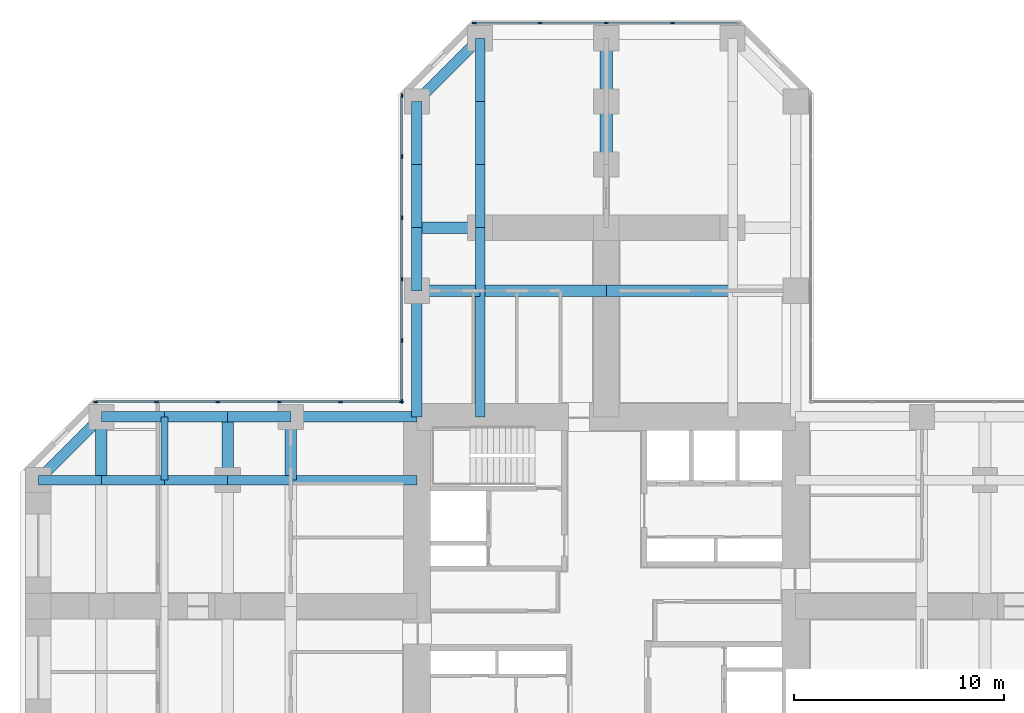
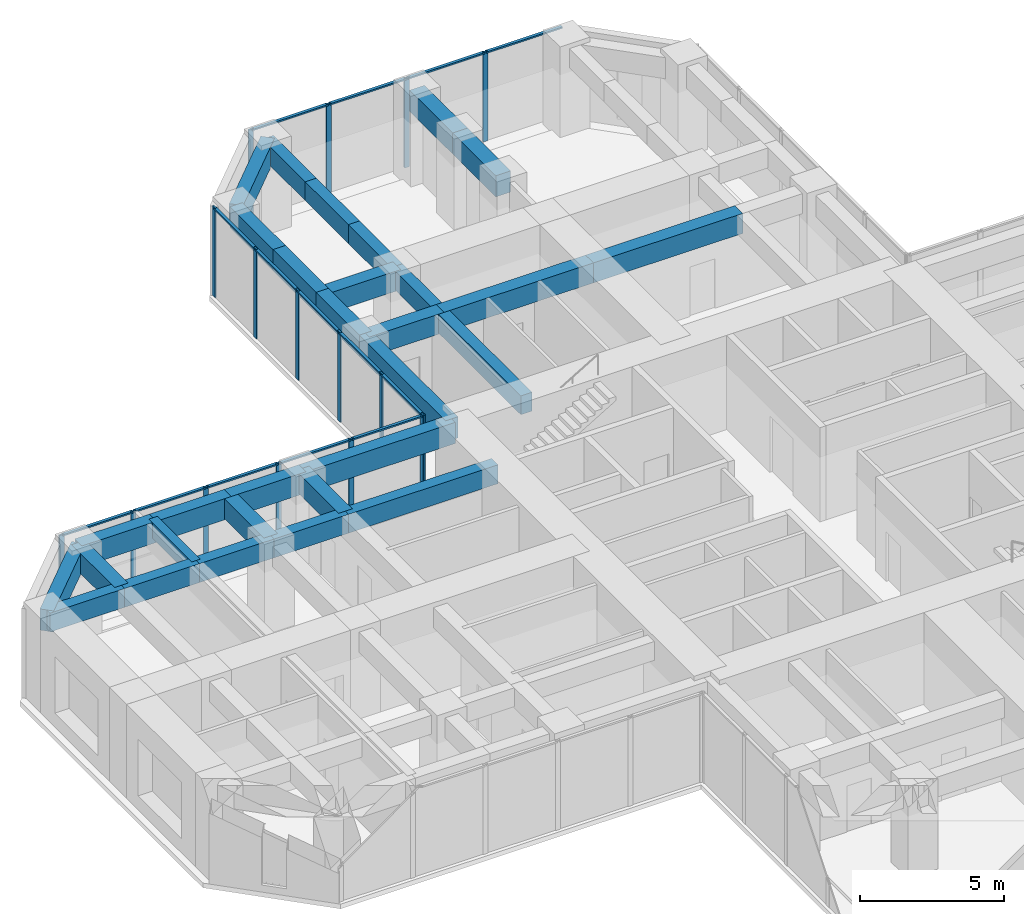
# One storey, part 5 of 13: 30 beams, 30 members, 3 elements without a shape of their own.
"""IFC4 building model written with IfcOpenShell, lengths in metres."""

from ifc_helpers import new_model, si_unit, direction, frame, origin, origin_2d, place, context, subcontext, project, spatial, rectangle, extrude, material, material_profile, profile_set, type_object, element, aggregate, save


model = new_model("IFC4")

# Units and contexts
model_context = context("Model", 3, precision=1e-05, world=origin(), true_north=direction((0.0, 1.0)))
body_context = subcontext(model_context, "Body", "Model", "MODEL_VIEW")
ifc_project = project(units=[si_unit("LENGTHUNIT", "METRE"), si_unit("AREAUNIT", "SQUARE_METRE"), si_unit("VOLUMEUNIT", "CUBIC_METRE"), si_unit("PLANEANGLEUNIT", "RADIAN"), si_unit("MASSUNIT", "GRAM", prefix="KILO")], contexts=[model_context])

# Site, building, storey
site_placement = place(None, origin())
site = spatial("IfcSite", under=ifc_project, at=site_placement, CompositionType="ELEMENT")
building_placement = place(site_placement, origin())
building = spatial("IfcBuilding", under=site, at=building_placement, Name="Torre Cruceta", CompositionType="ELEMENT")
storey_placement = place(building_placement, frame((0.0, 0.0, 51.5)))
storey = spatial("IfcBuildingStorey", under=building, at=storey_placement, Name="L12", CompositionType="ELEMENT", Elevation=51.5)

# Beams
ifc_material_1 = material(Name="Concrete G60 (fck 60 MPa)", Category="concrete")
ifc_material_profile_1 = material_profile(ifc_material_1, rectangle(XDim=0.60009765625, YDim=0.89990234375, at=origin_2d()), Name="RC 600X900")
ifc_profile_set_1 = profile_set([ifc_material_profile_1], Name="Concrete G60 (fck 60 MPa)")
beam_type_1 = type_object("IfcBeamType", Name="ARM CENTRE BEAM RC 600X900", PredefinedType="BEAM", material=ifc_profile_set_1)
for number, where, z_axis, x_axis, name in (
    (1, (0.0, 21.0, 3.35009765625), (0.0, 1.0, 0.0), (-1.0, 0.0, 0.0), "MB3 L12 N centre 1"),
    (2, (0.0, 24.0, 3.35009765625), (0.0, 1.0, 0.0), (-1.0, 0.0, 0.0), "MB3 L12 N centre 2"),
):
    element("IfcBeam", number, at=place(storey_placement, frame(where, z_axis=z_axis, x_axis=x_axis)), inside=storey, type_object=beam_type_1, Name=name, PredefinedType="BEAM", context=body_context, shape_type="SweptSolid", body=[
        extrude(rectangle(XDim=0.60009765625, YDim=0.89990234375, at=origin_2d()), origin(), (0.0, 0.0, 1.0), 3.0),
    ])
ifc_material_2 = material(Name="Concrete G60 (fck 60 MPa)", Category="concrete")
ifc_material_profile_2 = material_profile(ifc_material_2, rectangle(XDim=0.449951171875, YDim=0.800048828125, at=origin_2d()), Name="RC 450X800")
ifc_profile_set_2 = profile_set([ifc_material_profile_2], Name="Concrete G60 (fck 60 MPa)")
beam_type_2 = type_object("IfcBeamType", Name="COLUMN LINE BEAM RC 450X800", PredefinedType="BEAM", material=ifc_profile_set_2)
beam_1_placement = place(storey_placement, frame((-6.0, 9.0, 3.39990234375), z_axis=(0.0, 1.0, 0.0), x_axis=(-1.0, 0.0, 0.0)))
element("IfcBeam", 3, at=beam_1_placement, inside=storey, type_object=beam_type_2, Name="LB1 L12 N col+ 1", PredefinedType="BEAM", context=body_context, shape_type="SweptSolid", body=[
    extrude(rectangle(XDim=0.449951171875, YDim=0.800048828125, at=origin_2d()), origin(), (0.0, 0.0, 1.0), 6.0),
])
for number, where, z_axis, x_axis, name in (
    (4, (-6.0, 15.0, 3.39990234375), (0.0, 1.0, 0.0), (-1.0, 0.0, 0.0), "LB1 L12 N col+ 2"),
    (5, (-6.0, 18.0, 3.39990234375), (0.0, 1.0, 0.0), (-1.0, 0.0, 0.0), "LB1 L12 N col+ 3"),
    (6, (-6.0, 21.0, 3.39990234375), (0.0, 1.0, 0.0), (-1.0, 0.0, 0.0), "LB1 L12 N col+ 4"),
    (7, (-6.0, 24.0, 3.39990234375), (0.0, 1.0, 0.0), (-1.0, 0.0, 0.0), "LB1 L12 N col+ 5"),
):
    element("IfcBeam", number, at=place(storey_placement, frame(where, z_axis=z_axis, x_axis=x_axis)), inside=storey, type_object=beam_type_2, Name=name, PredefinedType="BEAM", context=body_context, shape_type="SweptSolid", body=[
        extrude(rectangle(XDim=0.449951171875, YDim=0.800048828125, at=origin_2d()), origin(), (0.0, 0.0, 1.0), 3.0),
    ])
beam_2_placement = place(storey_placement, frame((-9.0, 6.0, 3.39990234375), z_axis=(-1.0, 0.0, 0.0), x_axis=(0.0, -1.0, 0.0)))
element("IfcBeam", 8, at=beam_2_placement, inside=storey, type_object=beam_type_2, Name="LB1 L12 W col- 1", PredefinedType="BEAM", context=body_context, shape_type="SweptSolid", body=[
    extrude(rectangle(XDim=0.449951171875, YDim=0.800048828125, at=origin_2d()), origin(), (0.0, 0.0, 1.0), 6.0),
])
for number, where, z_axis, x_axis, name in (
    (9, (-15.0, 6.0, 3.39990234375), (-1.0, 0.0, 0.0), (0.0, -1.0, 0.0), "LB1 L12 W col- 2"),
    (10, (-18.0, 6.0, 3.39990234375), (-1.0, 0.0, 0.0), (0.0, -1.0, 0.0), "LB1 L12 W col- 3"),
    (11, (-21.0, 6.0, 3.39990234375), (-1.0, 0.0, 0.0), (0.0, -1.0, 0.0), "LB1 L12 W col- 4"),
    (12, (-24.0, 6.0, 3.39990234375), (-1.0, 0.0, 0.0), (0.0, -1.0, 0.0), "LB1 L12 W col- 5"),
):
    element("IfcBeam", number, at=place(storey_placement, frame(where, z_axis=z_axis, x_axis=x_axis)), inside=storey, type_object=beam_type_2, Name=name, PredefinedType="BEAM", context=body_context, shape_type="SweptSolid", body=[
        extrude(rectangle(XDim=0.449951171875, YDim=0.800048828125, at=origin_2d()), origin(), (0.0, 0.0, 1.0), 3.0),
    ])
ifc_material_3 = material(Name="Concrete G60 (fck 60 MPa)", Category="concrete")
ifc_material_profile_3 = material_profile(ifc_material_3, rectangle(XDim=0.550048828125, YDim=0.85009765625, at=origin_2d()), Name="RC 550X850")
ifc_profile_set_3 = profile_set([ifc_material_profile_3], Name="Concrete G60 (fck 60 MPa)")
beam_type_3 = type_object("IfcBeamType", Name="CROSS BEAM RC 550X850", PredefinedType="BEAM", material=ifc_profile_set_3)
for number, where, z_axis, x_axis, name in (
    (13, (6.0, 15.0, 3.375), (-1.0, 0.0, 0.0), (0.0, -1.0, 0.0), "GB4 L12 N cross15 2"),
    (14, (0.0, 15.0, 3.375), (-1.0, 0.0, 0.0), (0.0, -1.0, 0.0), "GB4 L12 N cross15 3"),
):
    element("IfcBeam", number, at=place(storey_placement, frame(where, z_axis=z_axis, x_axis=x_axis)), inside=storey, type_object=beam_type_3, Name=name, PredefinedType="BEAM", context=body_context, shape_type="SweptSolid", body=[
        extrude(rectangle(XDim=0.550048828125, YDim=0.85009765625, at=origin_2d()), origin(), (0.0, 0.0, 1.0), 6.0),
    ])
for number, where, z_axis, x_axis, name in (
    (15, (-6.0, 15.0, 3.375), (-1.0, 0.0, 0.0), (0.0, -1.0, 0.0), "GB4 L12 N cross15 4"),
    (16, (-6.0, 18.0, 3.375), (-1.0, 0.0, 0.0), (0.0, -1.0, 0.0), "GB4 L12 N cross18b 1"),
    (17, (-15.0, 9.0, 3.375), (0.0, -1.0, 0.0), (1.0, 0.0, 0.0), "GB4 L12 W cross15 1"),
    (18, (-18.0, 9.0, 3.375), (0.0, -1.0, 0.0), (1.0, 0.0, 0.0), "GB4 L12 W cross18 1"),
    (19, (-24.0, 9.0, 3.375), (0.0, -1.0, 0.0), (1.0, 0.0, 0.0), "GB4 L12 W cross24 1"),
):
    element("IfcBeam", number, at=place(storey_placement, frame(where, z_axis=z_axis, x_axis=x_axis)), inside=storey, type_object=beam_type_3, Name=name, PredefinedType="BEAM", context=body_context, shape_type="SweptSolid", body=[
        extrude(rectangle(XDim=0.550048828125, YDim=0.85009765625, at=origin_2d()), origin(), (0.0, 0.0, 1.0), 3.0),
    ])

# Curtain wall, members
ifc_material_4 = material(Name="Aluminium unitised curtain wall", Category="aluminium")
curtain_wall_type = type_object("IfcCurtainWallType", Name="CURTAIN WALL CW-A OFFICE LOW RISE", PredefinedType="USERDEFINED", material=ifc_material_4)
curtain_wall_1_placement = place(storey_placement, origin())
curtain_wall_1 = element("IfcCurtainWall", 20, at=curtain_wall_1_placement, inside=storey, type_object=curtain_wall_type, Name="CW-A L12 N tip 07", ObjectType="UNITISED", PredefinedType="USERDEFINED")
ifc_material_5 = material(Name="Aluminium mullion", Category="aluminium")
ifc_material_profile_4 = material_profile(ifc_material_5, rectangle(XDim=0.06494140625, YDim=0.199951171875, at=origin_2d()), Name="AL 65X200")
ifc_profile_set_4 = profile_set([ifc_material_profile_4], Name="Aluminium mullion")
member_type_1 = type_object("IfcMemberType", Name="CW-A MULLION 65X200", PredefinedType="MULLION", material=ifc_profile_set_4)
member_1_placement = place(storey_placement, frame((3.149169921875, 27.719970703125, 0.0), z_axis=(0.0, 0.0, 1.0), x_axis=(0.0, -1.0, 0.0)))
member_1 = element("IfcMember", 21, at=member_1_placement, type_object=member_type_1, Name="CW-A mullion 2", PredefinedType="MULLION", context=body_context, shape_type="SweptSolid", body=[
    extrude(rectangle(XDim=0.06494140625, YDim=0.199951171875, at=origin_2d()), origin(), (0.0, 0.0, 1.0), 3.800048828125),
])
member_2_placement = place(storey_placement, frame((0.0, 27.719970703125, 0.0), z_axis=(0.0, 0.0, 1.0), x_axis=(0.0, -1.0, 0.0)))
member_2 = element("IfcMember", 22, at=member_2_placement, type_object=member_type_1, Name="CW-A mullion 3", PredefinedType="MULLION", context=body_context, shape_type="SweptSolid", body=[
    extrude(rectangle(XDim=0.06494140625, YDim=0.199951171875, at=origin_2d()), origin(), (0.0, 0.0, 1.0), 3.800048828125),
])
member_3_placement = place(storey_placement, frame((-3.149169921875, 27.719970703125, 0.0), z_axis=(0.0, 0.0, 1.0), x_axis=(0.0, -1.0, 0.0)))
member_3 = element("IfcMember", 23, at=member_3_placement, type_object=member_type_1, Name="CW-A mullion 4", PredefinedType="MULLION", context=body_context, shape_type="SweptSolid", body=[
    extrude(rectangle(XDim=0.06494140625, YDim=0.199951171875, at=origin_2d()), origin(), (0.0, 0.0, 1.0), 3.800048828125),
])
member_4_placement = place(storey_placement, frame((-6.265625, 27.719970703125, 0.0), z_axis=(0.0, 0.0, 1.0), x_axis=(0.0, -1.0, 0.0)))
member_4 = element("IfcMember", 24, at=member_4_placement, type_object=member_type_1, Name="CW-A mullion 5", PredefinedType="MULLION", context=body_context, shape_type="SweptSolid", body=[
    extrude(rectangle(XDim=0.06494140625, YDim=0.199951171875, at=origin_2d()), origin(), (0.0, 0.0, 1.0), 3.800048828125),
])

curtain_wall_2_placement = place(storey_placement, origin())
curtain_wall_2 = element("IfcCurtainWall", 25, at=curtain_wall_2_placement, inside=storey, type_object=curtain_wall_type, Name="CW-A L12 N side 09", ObjectType="UNITISED", PredefinedType="USERDEFINED")
member_5_placement = place(storey_placement, frame((-9.719970703125, 24.265625, 0.0), z_axis=(0.0, 0.0, 1.0), x_axis=(1.0, 0.0, 0.0)))
member_5 = element("IfcMember", 26, at=member_5_placement, type_object=member_type_1, Name="CW-A mullion 1", PredefinedType="MULLION", context=body_context, shape_type="SweptSolid", body=[
    extrude(rectangle(XDim=0.06494140625, YDim=0.199951171875, at=origin_2d()), origin(), (0.0, 0.0, 1.0), 3.800048828125),
])
member_6_placement = place(storey_placement, frame((-9.719970703125, 21.382568359375, 0.0), z_axis=(0.0, 0.0, 1.0), x_axis=(1.0, 0.0, 0.0)))
member_6 = element("IfcMember", 27, at=member_6_placement, type_object=member_type_1, Name="CW-A mullion 2", PredefinedType="MULLION", context=body_context, shape_type="SweptSolid", body=[
    extrude(rectangle(XDim=0.06494140625, YDim=0.199951171875, at=origin_2d()), origin(), (0.0, 0.0, 1.0), 3.800048828125),
])
member_7_placement = place(storey_placement, frame((-9.719970703125, 18.467041015625, 0.0), z_axis=(0.0, 0.0, 1.0), x_axis=(1.0, 0.0, 0.0)))
member_7 = element("IfcMember", 28, at=member_7_placement, type_object=member_type_1, Name="CW-A mullion 3", PredefinedType="MULLION", context=body_context, shape_type="SweptSolid", body=[
    extrude(rectangle(XDim=0.06494140625, YDim=0.199951171875, at=origin_2d()), origin(), (0.0, 0.0, 1.0), 3.800048828125),
])
member_8_placement = place(storey_placement, frame((-9.719970703125, 15.55126953125, 0.0), z_axis=(0.0, 0.0, 1.0), x_axis=(1.0, 0.0, 0.0)))
member_8 = element("IfcMember", 29, at=member_8_placement, type_object=member_type_1, Name="CW-A mullion 4", PredefinedType="MULLION", context=body_context, shape_type="SweptSolid", body=[
    extrude(rectangle(XDim=0.06494140625, YDim=0.199951171875, at=origin_2d()), origin(), (0.0, 0.0, 1.0), 3.800048828125),
])
member_9_placement = place(storey_placement, frame((-9.719970703125, 12.6357421875, 0.0), z_axis=(0.0, 0.0, 1.0), x_axis=(1.0, 0.0, 0.0)))
member_9 = element("IfcMember", 30, at=member_9_placement, type_object=member_type_1, Name="CW-A mullion 5", PredefinedType="MULLION", context=body_context, shape_type="SweptSolid", body=[
    extrude(rectangle(XDim=0.06494140625, YDim=0.199951171875, at=origin_2d()), origin(), (0.0, 0.0, 1.0), 3.800048828125),
])
member_10_placement = place(storey_placement, frame((-9.719970703125, 9.75244140625, 0.0), z_axis=(0.0, 0.0, 1.0), x_axis=(1.0, 0.0, 0.0)))
member_10 = element("IfcMember", 31, at=member_10_placement, type_object=member_type_1, Name="CW-A mullion 6", PredefinedType="MULLION", context=body_context, shape_type="SweptSolid", body=[
    extrude(rectangle(XDim=0.06494140625, YDim=0.199951171875, at=origin_2d()), origin(), (0.0, 0.0, 1.0), 3.800048828125),
])

curtain_wall_3_placement = place(storey_placement, origin())
curtain_wall_3 = element("IfcCurtainWall", 32, at=curtain_wall_3_placement, inside=storey, type_object=curtain_wall_type, Name="CW-A L12 W side 10", ObjectType="UNITISED", PredefinedType="USERDEFINED")
member_11_placement = place(storey_placement, frame((-9.75244140625, 9.719970703125, 0.0), z_axis=(0.0, 0.0, 1.0), x_axis=(0.0, -1.0, 0.0)))
member_11 = element("IfcMember", 33, at=member_11_placement, type_object=member_type_1, Name="CW-A mullion 1", PredefinedType="MULLION", context=body_context, shape_type="SweptSolid", body=[
    extrude(rectangle(XDim=0.06494140625, YDim=0.199951171875, at=origin_2d()), origin(), (0.0, 0.0, 1.0), 3.800048828125),
])
member_12_placement = place(storey_placement, frame((-12.6357421875, 9.719970703125, 0.0), z_axis=(0.0, 0.0, 1.0), x_axis=(0.0, -1.0, 0.0)))
member_12 = element("IfcMember", 34, at=member_12_placement, type_object=member_type_1, Name="CW-A mullion 2", PredefinedType="MULLION", context=body_context, shape_type="SweptSolid", body=[
    extrude(rectangle(XDim=0.06494140625, YDim=0.199951171875, at=origin_2d()), origin(), (0.0, 0.0, 1.0), 3.800048828125),
])
member_13_placement = place(storey_placement, frame((-15.55126953125, 9.719970703125, 0.0), z_axis=(0.0, 0.0, 1.0), x_axis=(0.0, -1.0, 0.0)))
member_13 = element("IfcMember", 35, at=member_13_placement, type_object=member_type_1, Name="CW-A mullion 3", PredefinedType="MULLION", context=body_context, shape_type="SweptSolid", body=[
    extrude(rectangle(XDim=0.06494140625, YDim=0.199951171875, at=origin_2d()), origin(), (0.0, 0.0, 1.0), 3.800048828125),
])
member_14_placement = place(storey_placement, frame((-18.467041015625, 9.719970703125, 0.0), z_axis=(0.0, 0.0, 1.0), x_axis=(0.0, -1.0, 0.0)))
member_14 = element("IfcMember", 36, at=member_14_placement, type_object=member_type_1, Name="CW-A mullion 4", PredefinedType="MULLION", context=body_context, shape_type="SweptSolid", body=[
    extrude(rectangle(XDim=0.06494140625, YDim=0.199951171875, at=origin_2d()), origin(), (0.0, 0.0, 1.0), 3.800048828125),
])
member_15_placement = place(storey_placement, frame((-21.382568359375, 9.719970703125, 0.0), z_axis=(0.0, 0.0, 1.0), x_axis=(0.0, -1.0, 0.0)))
member_15 = element("IfcMember", 37, at=member_15_placement, type_object=member_type_1, Name="CW-A mullion 5", PredefinedType="MULLION", context=body_context, shape_type="SweptSolid", body=[
    extrude(rectangle(XDim=0.06494140625, YDim=0.199951171875, at=origin_2d()), origin(), (0.0, 0.0, 1.0), 3.800048828125),
])
member_16_placement = place(storey_placement, frame((-24.265625, 9.719970703125, 0.0), z_axis=(0.0, 0.0, 1.0), x_axis=(0.0, -1.0, 0.0)))
member_16 = element("IfcMember", 38, at=member_16_placement, type_object=member_type_1, Name="CW-A mullion 6", PredefinedType="MULLION", context=body_context, shape_type="SweptSolid", body=[
    extrude(rectangle(XDim=0.06494140625, YDim=0.199951171875, at=origin_2d()), origin(), (0.0, 0.0, 1.0), 3.800048828125),
])

# Member
ifc_material_6 = material(Name="Aluminium transom", Category="aluminium")
ifc_material_profile_5 = material_profile(ifc_material_6, rectangle(XDim=0.1201171875, YDim=0.06494140625, at=origin_2d()), Name="AL 120X65")
ifc_profile_set_5 = profile_set([ifc_material_profile_5], Name="Aluminium transom")
member_type_2 = type_object("IfcMemberType", Name="CW-A TRANSOM 65X120", PredefinedType="USERDEFINED", material=ifc_profile_set_5)
member_17_placement = place(storey_placement, frame((6.233154296875, 27.719970703125, 3.767578125), z_axis=(-1.0, 0.0, 0.0), x_axis=(0.0, -1.0, 0.0)))
member_17 = element("IfcMember", 39, at=member_17_placement, type_object=member_type_2, Name="CW-A transom 1", ObjectType="TRANSOM", PredefinedType="USERDEFINED", context=body_context, shape_type="SweptSolid", body=[
    extrude(rectangle(XDim=0.1201171875, YDim=0.06494140625, at=origin_2d()), origin(), (0.0, 0.0, 1.0), 3.051513671875),
])

member_18_placement = place(storey_placement, frame((3.11669921875, 27.719970703125, 3.767578125), z_axis=(-1.0, 0.0, 0.0), x_axis=(0.0, -1.0, 0.0)))
member_18 = element("IfcMember", 40, at=member_18_placement, type_object=member_type_2, Name="CW-A transom 2", ObjectType="TRANSOM", PredefinedType="USERDEFINED", context=body_context, shape_type="SweptSolid", body=[
    extrude(rectangle(XDim=0.1201171875, YDim=0.06494140625, at=origin_2d()), origin(), (0.0, 0.0, 1.0), 3.084228515625),
])

member_19_placement = place(storey_placement, frame((-0.032470703125, 27.719970703125, 3.767578125), z_axis=(-1.0, 0.0, 0.0), x_axis=(0.0, -1.0, 0.0)))
member_19 = element("IfcMember", 41, at=member_19_placement, type_object=member_type_2, Name="CW-A transom 3", ObjectType="TRANSOM", PredefinedType="USERDEFINED", context=body_context, shape_type="SweptSolid", body=[
    extrude(rectangle(XDim=0.1201171875, YDim=0.06494140625, at=origin_2d()), origin(), (0.0, 0.0, 1.0), 3.084228515625),
])

member_20_placement = place(storey_placement, frame((-3.181640625, 27.719970703125, 3.767578125), z_axis=(-1.0, 0.0, 0.0), x_axis=(0.0, -1.0, 0.0)))
member_20 = element("IfcMember", 42, at=member_20_placement, type_object=member_type_2, Name="CW-A transom 4", ObjectType="TRANSOM", PredefinedType="USERDEFINED", context=body_context, shape_type="SweptSolid", body=[
    extrude(rectangle(XDim=0.1201171875, YDim=0.06494140625, at=origin_2d()), origin(), (0.0, 0.0, 1.0), 3.051513671875),
])

aggregate(curtain_wall_1, [member_1, member_2, member_3, member_4, member_17, member_18, member_19, member_20])

member_21_placement = place(storey_placement, frame((-9.719970703125, 24.233154296875, 3.767578125), z_axis=(0.0, -1.0, 0.0), x_axis=(1.0, 0.0, 0.0)))
member_21 = element("IfcMember", 43, at=member_21_placement, type_object=member_type_2, Name="CW-A transom 1", ObjectType="TRANSOM", PredefinedType="USERDEFINED", context=body_context, shape_type="SweptSolid", body=[
    extrude(rectangle(XDim=0.1201171875, YDim=0.06494140625, at=origin_2d()), origin(), (0.0, 0.0, 1.0), 2.818115234375),
])

member_22_placement = place(storey_placement, frame((-9.719970703125, 21.35009765625, 3.767578125), z_axis=(0.0, -1.0, 0.0), x_axis=(1.0, 0.0, 0.0)))
member_22 = element("IfcMember", 44, at=member_22_placement, type_object=member_type_2, Name="CW-A transom 2", ObjectType="TRANSOM", PredefinedType="USERDEFINED", context=body_context, shape_type="SweptSolid", body=[
    extrude(rectangle(XDim=0.1201171875, YDim=0.06494140625, at=origin_2d()), origin(), (0.0, 0.0, 1.0), 2.8505859375),
])

member_23_placement = place(storey_placement, frame((-9.719970703125, 18.434326171875, 3.767578125), z_axis=(0.0, -1.0, 0.0), x_axis=(1.0, 0.0, 0.0)))
member_23 = element("IfcMember", 45, at=member_23_placement, type_object=member_type_2, Name="CW-A transom 3", ObjectType="TRANSOM", PredefinedType="USERDEFINED", context=body_context, shape_type="SweptSolid", body=[
    extrude(rectangle(XDim=0.1201171875, YDim=0.06494140625, at=origin_2d()), origin(), (0.0, 0.0, 1.0), 2.8505859375),
])

member_24_placement = place(storey_placement, frame((-9.719970703125, 15.518798828125, 3.767578125), z_axis=(0.0, -1.0, 0.0), x_axis=(1.0, 0.0, 0.0)))
member_24 = element("IfcMember", 46, at=member_24_placement, type_object=member_type_2, Name="CW-A transom 4", ObjectType="TRANSOM", PredefinedType="USERDEFINED", context=body_context, shape_type="SweptSolid", body=[
    extrude(rectangle(XDim=0.1201171875, YDim=0.06494140625, at=origin_2d()), origin(), (0.0, 0.0, 1.0), 2.8505859375),
])

member_25_placement = place(storey_placement, frame((-9.719970703125, 12.60302734375, 3.767578125), z_axis=(0.0, -1.0, 0.0), x_axis=(1.0, 0.0, 0.0)))
member_25 = element("IfcMember", 47, at=member_25_placement, type_object=member_type_2, Name="CW-A transom 5", ObjectType="TRANSOM", PredefinedType="USERDEFINED", context=body_context, shape_type="SweptSolid", body=[
    extrude(rectangle(XDim=0.1201171875, YDim=0.06494140625, at=origin_2d()), origin(), (0.0, 0.0, 1.0), 2.818115234375),
])

aggregate(curtain_wall_2, [member_5, member_6, member_7, member_8, member_9, member_10, member_21, member_22, member_23, member_24, member_25])

member_26_placement = place(storey_placement, frame((-9.784912109375, 9.719970703125, 3.767578125), z_axis=(-1.0, 0.0, 0.0), x_axis=(0.0, -1.0, 0.0)))
member_26 = element("IfcMember", 48, at=member_26_placement, type_object=member_type_2, Name="CW-A transom 1", ObjectType="TRANSOM", PredefinedType="USERDEFINED", context=body_context, shape_type="SweptSolid", body=[
    extrude(rectangle(XDim=0.1201171875, YDim=0.06494140625, at=origin_2d()), origin(), (0.0, 0.0, 1.0), 2.818115234375),
])

member_27_placement = place(storey_placement, frame((-12.668212890625, 9.719970703125, 3.767578125), z_axis=(-1.0, 0.0, 0.0), x_axis=(0.0, -1.0, 0.0)))
member_27 = element("IfcMember", 49, at=member_27_placement, type_object=member_type_2, Name="CW-A transom 2", ObjectType="TRANSOM", PredefinedType="USERDEFINED", context=body_context, shape_type="SweptSolid", body=[
    extrude(rectangle(XDim=0.1201171875, YDim=0.06494140625, at=origin_2d()), origin(), (0.0, 0.0, 1.0), 2.8505859375),
])

member_28_placement = place(storey_placement, frame((-15.583740234375, 9.719970703125, 3.767578125), z_axis=(-1.0, 0.0, 0.0), x_axis=(0.0, -1.0, 0.0)))
member_28 = element("IfcMember", 50, at=member_28_placement, type_object=member_type_2, Name="CW-A transom 3", ObjectType="TRANSOM", PredefinedType="USERDEFINED", context=body_context, shape_type="SweptSolid", body=[
    extrude(rectangle(XDim=0.1201171875, YDim=0.06494140625, at=origin_2d()), origin(), (0.0, 0.0, 1.0), 2.8505859375),
])

member_29_placement = place(storey_placement, frame((-18.49951171875, 9.719970703125, 3.767578125), z_axis=(-1.0, 0.0, 0.0), x_axis=(0.0, -1.0, 0.0)))
member_29 = element("IfcMember", 51, at=member_29_placement, type_object=member_type_2, Name="CW-A transom 4", ObjectType="TRANSOM", PredefinedType="USERDEFINED", context=body_context, shape_type="SweptSolid", body=[
    extrude(rectangle(XDim=0.1201171875, YDim=0.06494140625, at=origin_2d()), origin(), (0.0, 0.0, 1.0), 2.8505859375),
])

member_30_placement = place(storey_placement, frame((-21.4150390625, 9.719970703125, 3.767578125), z_axis=(-1.0, 0.0, 0.0), x_axis=(0.0, -1.0, 0.0)))
member_30 = element("IfcMember", 52, at=member_30_placement, type_object=member_type_2, Name="CW-A transom 5", ObjectType="TRANSOM", PredefinedType="USERDEFINED", context=body_context, shape_type="SweptSolid", body=[
    extrude(rectangle(XDim=0.1201171875, YDim=0.06494140625, at=origin_2d()), origin(), (0.0, 0.0, 1.0), 2.818115234375),
])

aggregate(curtain_wall_3, [member_11, member_12, member_13, member_14, member_15, member_16, member_26, member_27, member_28, member_29, member_30])

# Beams
ifc_material_7 = material(Name="Concrete G60 (fck 60 MPa)", Category="concrete")
ifc_material_profile_6 = material_profile(ifc_material_7, rectangle(XDim=0.35009765625, YDim=0.64990234375, at=origin_2d()), Name="RC 350X650")
ifc_profile_set_6 = profile_set([ifc_material_profile_6], Name="Concrete G60 (fck 60 MPa)")
beam_type_4 = type_object("IfcBeamType", Name="SECONDARY BEAM RC 350X650", PredefinedType="JOIST", material=ifc_profile_set_6)
beam_3_placement = place(storey_placement, frame((-21.0, 9.0, 3.47509765625), z_axis=(0.0, -1.0, 0.0), x_axis=(1.0, 0.0, 0.0)))
element("IfcBeam", 53, at=beam_3_placement, inside=storey, type_object=beam_type_4, Name="JB3 L12 W sec21 1", PredefinedType="JOIST", context=body_context, shape_type="SweptSolid", body=[
    extrude(rectangle(XDim=0.35009765625, YDim=0.64990234375, at=origin_2d()), origin(), (0.0, 0.0, 1.0), 3.0),
])
ifc_material_8 = material(Name="Concrete G60 (fck 60 MPa)", Category="concrete")
ifc_material_profile_7 = material_profile(ifc_material_8, rectangle(XDim=0.5, YDim=0.89990234375, at=origin_2d()), Name="RC 500X900")
ifc_profile_set_7 = profile_set([ifc_material_profile_7], Name="Concrete G60 (fck 60 MPa)")
beam_type_5 = type_object("IfcBeamType", Name="SPANDREL BEAM RC 500X900", PredefinedType="SPANDREL", material=ifc_profile_set_7)
beam_4_placement = place(storey_placement, frame((-9.0, 9.0, 3.35009765625), z_axis=(0.0, 1.0, 0.0), x_axis=(-1.0, 0.0, 0.0)))
element("IfcBeam", 54, at=beam_4_placement, inside=storey, type_object=beam_type_5, Name="SB4 L12 N side+ 1", PredefinedType="SPANDREL", context=body_context, shape_type="SweptSolid", body=[
    extrude(rectangle(XDim=0.5, YDim=0.89990234375, at=origin_2d()), origin(), (0.0, 0.0, 1.0), 6.0),
])
for number, where, z_axis, x_axis, name in (
    (55, (-9.0, 15.0, 3.35009765625), (0.0, 1.0, 0.0), (-1.0, 0.0, 0.0), "SB4 L12 N side+ 2"),
    (56, (-9.0, 18.0, 3.35009765625), (0.0, 1.0, 0.0), (-1.0, 0.0, 0.0), "SB4 L12 N side+ 3"),
    (57, (-9.0, 21.0, 3.35009765625), (0.0, 1.0, 0.0), (-1.0, 0.0, 0.0), "SB4 L12 N side+ 4"),
):
    element("IfcBeam", number, at=place(storey_placement, frame(where, z_axis=z_axis, x_axis=x_axis)), inside=storey, type_object=beam_type_5, Name=name, PredefinedType="SPANDREL", context=body_context, shape_type="SweptSolid", body=[
        extrude(rectangle(XDim=0.5, YDim=0.89990234375, at=origin_2d()), origin(), (0.0, 0.0, 1.0), 3.0),
    ])
beam_5_placement = place(storey_placement, frame((-9.0, 24.0, 3.35009765625), z_axis=(0.707106781187, 0.707106781187, 0.0), x_axis=(-0.707106781187, 0.707106781187, 0.0)))
element("IfcBeam", 58, at=beam_5_placement, inside=storey, type_object=beam_type_5, Name="SB4 L12 N side+ 5", PredefinedType="SPANDREL", context=body_context, shape_type="SweptSolid", body=[
    extrude(rectangle(XDim=0.5, YDim=0.89990234375, at=origin_2d()), origin(), (0.0, 0.0, 1.0), 4.24267578125),
])
beam_6_placement = place(storey_placement, frame((-9.0, 9.0, 3.35009765625), z_axis=(-1.0, 0.0, 0.0), x_axis=(0.0, -1.0, 0.0)))
element("IfcBeam", 59, at=beam_6_placement, inside=storey, type_object=beam_type_5, Name="SB4 L12 W side- 1", PredefinedType="SPANDREL", context=body_context, shape_type="SweptSolid", body=[
    extrude(rectangle(XDim=0.5, YDim=0.89990234375, at=origin_2d()), origin(), (0.0, 0.0, 1.0), 6.0),
])
for number, where, z_axis, x_axis, name in (
    (60, (-15.0, 9.0, 3.35009765625), (-1.0, 0.0, 0.0), (0.0, -1.0, 0.0), "SB4 L12 W side- 2"),
    (61, (-18.0, 9.0, 3.35009765625), (-1.0, 0.0, 0.0), (0.0, -1.0, 0.0), "SB4 L12 W side- 3"),
    (62, (-21.0, 9.0, 3.35009765625), (-1.0, 0.0, 0.0), (0.0, -1.0, 0.0), "SB4 L12 W side- 4"),
):
    element("IfcBeam", number, at=place(storey_placement, frame(where, z_axis=z_axis, x_axis=x_axis)), inside=storey, type_object=beam_type_5, Name=name, PredefinedType="SPANDREL", context=body_context, shape_type="SweptSolid", body=[
        extrude(rectangle(XDim=0.5, YDim=0.89990234375, at=origin_2d()), origin(), (0.0, 0.0, 1.0), 3.0),
    ])
beam_7_placement = place(storey_placement, frame((-24.0, 9.0, 3.35009765625), z_axis=(-0.707106781187, -0.707106781187, 0.0), x_axis=(0.707106781187, -0.707106781187, 0.0)))
element("IfcBeam", 63, at=beam_7_placement, inside=storey, type_object=beam_type_5, Name="SB4 L12 W side- 5", PredefinedType="SPANDREL", context=body_context, shape_type="SweptSolid", body=[
    extrude(rectangle(XDim=0.5, YDim=0.89990234375, at=origin_2d()), origin(), (0.0, 0.0, 1.0), 4.24267578125),
])

save(model, "model.ifc")
